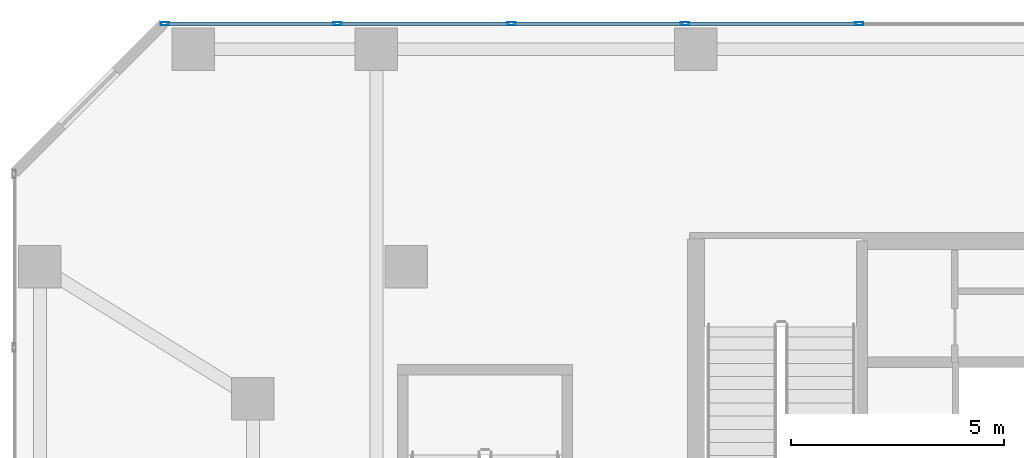
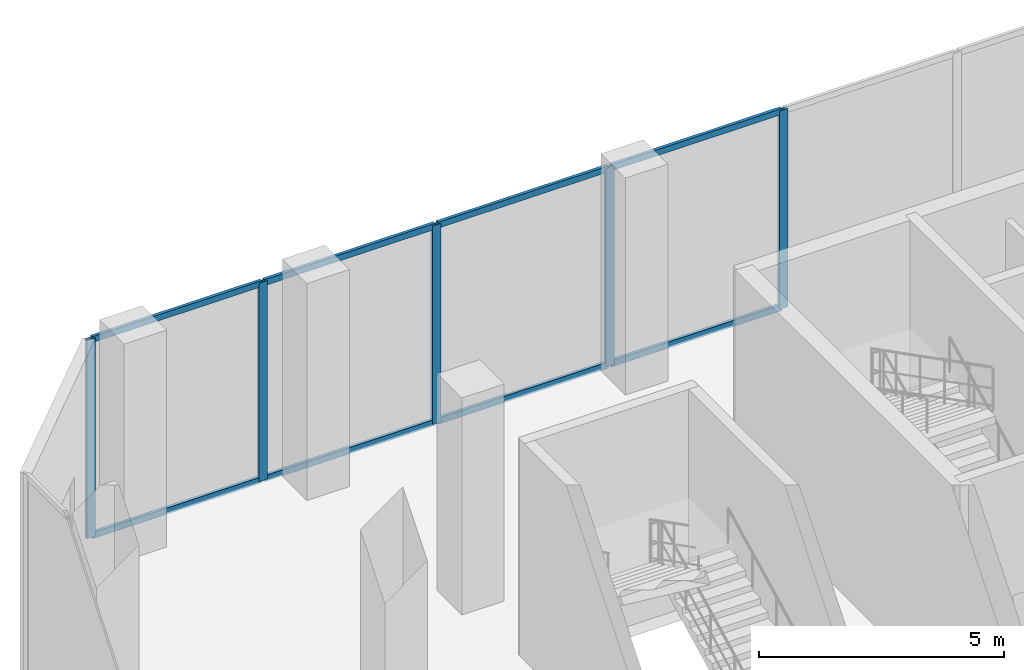
# One storey, part 14 of 24: 13 members, 1 element without a shape of its own.
"""IFC4 building model written with IfcOpenShell, lengths in metres."""

from ifc_helpers import new_model, si_unit, direction, frame, origin, origin_2d, place, context, subcontext, project, spatial, hollow_rectangle, extrude, material, layer, layer_set, material_profile, profile_set, type_object, element, aggregate, save


model = new_model("IFC4")

# Units and contexts
model_context = context("Model", 3, precision=1e-05, world=origin(), true_north=direction((0.0, 1.0)))
body_context = subcontext(model_context, "Body", "Model", "MODEL_VIEW")
ifc_project = project(units=[si_unit("LENGTHUNIT", "METRE"), si_unit("AREAUNIT", "SQUARE_METRE"), si_unit("VOLUMEUNIT", "CUBIC_METRE"), si_unit("PLANEANGLEUNIT", "RADIAN"), si_unit("MASSUNIT", "GRAM", prefix="KILO")], contexts=[model_context])

# Site, building, storey
site_placement = place(None, origin())
site = spatial("IfcSite", under=ifc_project, at=site_placement, CompositionType="ELEMENT")
building_placement = place(site_placement, origin())
building = spatial("IfcBuilding", under=site, at=building_placement, Name="Catumbela Crestline Tower", CompositionType="ELEMENT")
storey_placement = place(building_placement, frame((0.0, 0.0, 15.9)))
storey = spatial("IfcBuildingStorey", under=building, at=storey_placement, Name="L03", CompositionType="ELEMENT", Elevation=15.9)

# Curtain wall, members
ifc_material = material(Name="Aluminium alloy AW-6060-T66", Category="aluminium")
ifc_layer = layer(ifc_material, 0.18, Name="Aluminium alloy AW-6060-T66")
ifc_layer_set = layer_set([ifc_layer], Name="Aluminium alloy AW-6060-T66")
curtain_wall_type = type_object("IfcCurtainWallType", Name="CWS-POD", PredefinedType="USERDEFINED", material=ifc_layer_set)
curtain_wall_placement = place(storey_placement, origin())
curtain_wall = element("IfcCurtainWall", 1, at=curtain_wall_placement, inside=storey, type_object=curtain_wall_type, Name="L03 Stick Curtain Wall CW-L03-E7S1", ObjectType="STICK", PredefinedType="USERDEFINED")
ifc_material_profile_1 = material_profile(ifc_material, hollow_rectangle(XDim=0.075, YDim=0.2, WallThickness=0.005, at=origin_2d()), Name="ALU 200x75x5")
ifc_profile_set_1 = profile_set([ifc_material_profile_1], Name="Aluminium alloy AW-6060-T66")
member_type_1 = type_object("IfcMemberType", Name="MUL-200X75", PredefinedType="MULLION", material=ifc_profile_set_1)
member_1_placement = place(storey_placement, frame((19.8333, 48.0, 0.0), z_axis=(0.0, 0.0, 1.0), x_axis=(0.0, -1.0, 0.0)))
member_1 = element("IfcMember", 2, at=member_1_placement, type_object=member_type_1, Name="CWS-POD mullion 9", PredefinedType="MULLION", context=body_context, shape_type="SweptSolid", body=[
    extrude(hollow_rectangle(XDim=0.075, YDim=0.2, WallThickness=0.005, at=origin_2d()), origin(), (0.0, 0.0, 1.0), 4.94),
])
member_2_placement = place(storey_placement, frame((15.75, 48.0, 0.0), z_axis=(0.0, 0.0, 1.0), x_axis=(0.0, -1.0, 0.0)))
member_2 = element("IfcMember", 3, at=member_2_placement, type_object=member_type_1, Name="CWS-POD mullion 10", PredefinedType="MULLION", context=body_context, shape_type="SweptSolid", body=[
    extrude(hollow_rectangle(XDim=0.075, YDim=0.2, WallThickness=0.005, at=origin_2d()), origin(), (0.0, 0.0, 1.0), 4.94),
])
member_3_placement = place(storey_placement, frame((11.6667, 48.0, 0.0), z_axis=(0.0, 0.0, 1.0), x_axis=(0.0, -1.0, 0.0)))
member_3 = element("IfcMember", 4, at=member_3_placement, type_object=member_type_1, Name="CWS-POD mullion 11", PredefinedType="MULLION", context=body_context, shape_type="SweptSolid", body=[
    extrude(hollow_rectangle(XDim=0.075, YDim=0.2, WallThickness=0.005, at=origin_2d()), origin(), (0.0, 0.0, 1.0), 4.94),
])
member_4_placement = place(storey_placement, frame((7.5833, 48.0, 0.0), z_axis=(0.0, 0.0, 1.0), x_axis=(0.0, -1.0, 0.0)))
member_4 = element("IfcMember", 5, at=member_4_placement, type_object=member_type_1, Name="CWS-POD mullion 12", PredefinedType="MULLION", context=body_context, shape_type="SweptSolid", body=[
    extrude(hollow_rectangle(XDim=0.075, YDim=0.2, WallThickness=0.005, at=origin_2d()), origin(), (0.0, 0.0, 1.0), 4.94),
])
member_5_placement = place(storey_placement, frame((3.5325, 48.0, 0.0), z_axis=(0.0, 0.0, 1.0), x_axis=(0.0, -1.0, 0.0)))
member_5 = element("IfcMember", 6, at=member_5_placement, type_object=member_type_1, Name="CWS-POD mullion 13", PredefinedType="MULLION", context=body_context, shape_type="SweptSolid", body=[
    extrude(hollow_rectangle(XDim=0.075, YDim=0.2, WallThickness=0.005, at=origin_2d()), origin(), (0.0, 0.0, 1.0), 4.94),
])
ifc_material_profile_2 = material_profile(ifc_material, hollow_rectangle(XDim=0.075, YDim=0.15, WallThickness=0.0045, at=origin_2d()), Name="ALU 150x75x4.5")
ifc_profile_set_2 = profile_set([ifc_material_profile_2], Name="Aluminium alloy AW-6060-T66")
member_type_2 = type_object("IfcMemberType", Name="TRN-150X75", PredefinedType="USERDEFINED", material=ifc_profile_set_2)
member_6_placement = place(storey_placement, frame((19.8008, 48.0, 0.03), z_axis=(-1.0, 0.0, 0.0), x_axis=(0.0, -1.0, 0.0)))
member_6 = element("IfcMember", 7, at=member_6_placement, type_object=member_type_2, Name="CWS-POD transom 9.1", ObjectType="TRANSOM", PredefinedType="USERDEFINED", context=body_context, shape_type="SweptSolid", body=[
    extrude(hollow_rectangle(XDim=0.075, YDim=0.15, WallThickness=0.0045, at=origin_2d()), origin(), (0.0, 0.0, 1.0), 4.0183),
])
member_7_placement = place(storey_placement, frame((19.8008, 48.0, 4.91), z_axis=(-1.0, 0.0, 0.0), x_axis=(0.0, -1.0, 0.0)))
member_7 = element("IfcMember", 8, at=member_7_placement, type_object=member_type_2, Name="CWS-POD transom 9.2", ObjectType="TRANSOM", PredefinedType="USERDEFINED", context=body_context, shape_type="SweptSolid", body=[
    extrude(hollow_rectangle(XDim=0.075, YDim=0.15, WallThickness=0.0045, at=origin_2d()), origin(), (0.0, 0.0, 1.0), 4.0183),
])
member_8_placement = place(storey_placement, frame((15.7175, 48.0, 0.03), z_axis=(-1.0, 0.0, 0.0), x_axis=(0.0, -1.0, 0.0)))
member_8 = element("IfcMember", 9, at=member_8_placement, type_object=member_type_2, Name="CWS-POD transom 10.1", ObjectType="TRANSOM", PredefinedType="USERDEFINED", context=body_context, shape_type="SweptSolid", body=[
    extrude(hollow_rectangle(XDim=0.075, YDim=0.15, WallThickness=0.0045, at=origin_2d()), origin(), (0.0, 0.0, 1.0), 4.0183),
])
member_9_placement = place(storey_placement, frame((15.7175, 48.0, 4.91), z_axis=(-1.0, 0.0, 0.0), x_axis=(0.0, -1.0, 0.0)))
member_9 = element("IfcMember", 10, at=member_9_placement, type_object=member_type_2, Name="CWS-POD transom 10.2", ObjectType="TRANSOM", PredefinedType="USERDEFINED", context=body_context, shape_type="SweptSolid", body=[
    extrude(hollow_rectangle(XDim=0.075, YDim=0.15, WallThickness=0.0045, at=origin_2d()), origin(), (0.0, 0.0, 1.0), 4.0183),
])
member_10_placement = place(storey_placement, frame((11.6342, 48.0, 0.03), z_axis=(-1.0, 0.0, 0.0), x_axis=(0.0, -1.0, 0.0)))
member_10 = element("IfcMember", 11, at=member_10_placement, type_object=member_type_2, Name="CWS-POD transom 11.1", ObjectType="TRANSOM", PredefinedType="USERDEFINED", context=body_context, shape_type="SweptSolid", body=[
    extrude(hollow_rectangle(XDim=0.075, YDim=0.15, WallThickness=0.0045, at=origin_2d()), origin(), (0.0, 0.0, 1.0), 4.0184),
])
member_11_placement = place(storey_placement, frame((11.6342, 48.0, 4.91), z_axis=(-1.0, 0.0, 0.0), x_axis=(0.0, -1.0, 0.0)))
member_11 = element("IfcMember", 12, at=member_11_placement, type_object=member_type_2, Name="CWS-POD transom 11.2", ObjectType="TRANSOM", PredefinedType="USERDEFINED", context=body_context, shape_type="SweptSolid", body=[
    extrude(hollow_rectangle(XDim=0.075, YDim=0.15, WallThickness=0.0045, at=origin_2d()), origin(), (0.0, 0.0, 1.0), 4.0184),
])
member_12_placement = place(storey_placement, frame((7.5508, 48.0, 0.03), z_axis=(-1.0, 0.0, 0.0), x_axis=(0.0, -1.0, 0.0)))
member_12 = element("IfcMember", 13, at=member_12_placement, type_object=member_type_2, Name="CWS-POD transom 12.1", ObjectType="TRANSOM", PredefinedType="USERDEFINED", context=body_context, shape_type="SweptSolid", body=[
    extrude(hollow_rectangle(XDim=0.075, YDim=0.15, WallThickness=0.0045, at=origin_2d()), origin(), (0.0, 0.0, 1.0), 3.9858),
])
member_13_placement = place(storey_placement, frame((7.5508, 48.0, 4.91), z_axis=(-1.0, 0.0, 0.0), x_axis=(0.0, -1.0, 0.0)))
member_13 = element("IfcMember", 14, at=member_13_placement, type_object=member_type_2, Name="CWS-POD transom 12.2", ObjectType="TRANSOM", PredefinedType="USERDEFINED", context=body_context, shape_type="SweptSolid", body=[
    extrude(hollow_rectangle(XDim=0.075, YDim=0.15, WallThickness=0.0045, at=origin_2d()), origin(), (0.0, 0.0, 1.0), 3.9858),
])
aggregate(curtain_wall, [member_1, member_2, member_3, member_4, member_5, member_6, member_7, member_8, member_9, member_10, member_11, member_12, member_13])

save(model, "model.ifc")
